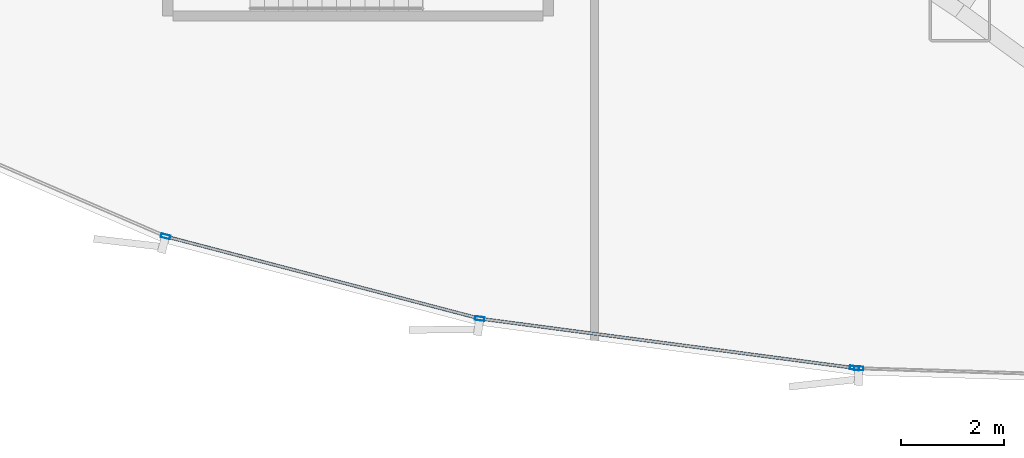
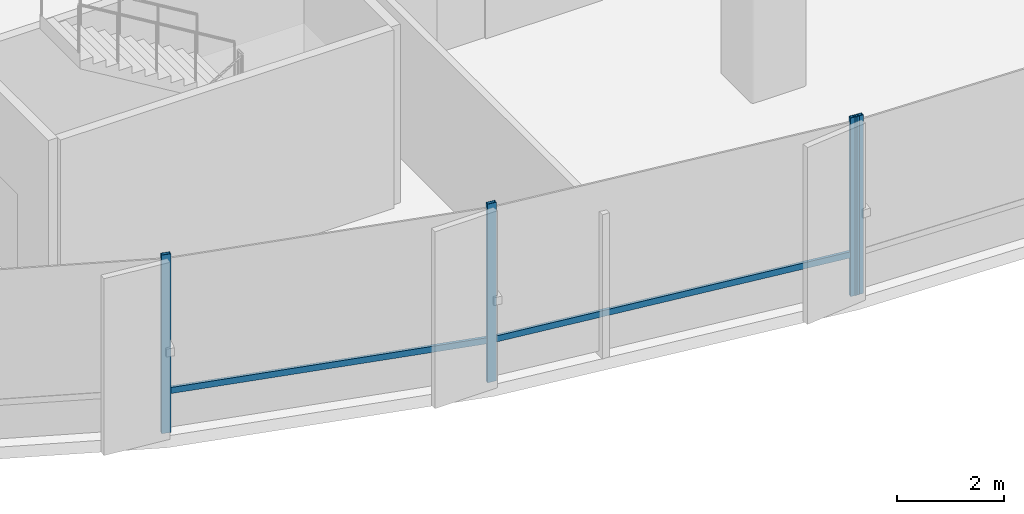
# One storey, part 4 of 34: 6 members, 2 elements without a shape of their own.
"""IFC4 building model written with IfcOpenShell, lengths in metres."""

from ifc_helpers import new_model, si_unit, direction, frame, origin, origin_2d, place, context, subcontext, project, spatial, hollow_rectangle, extrude, source, transform, mapped, material, layer, layer_set, material_profile, profile_set, type_object, element, aggregate, save


model = new_model("IFC4")

# Units and contexts
model_context = context("Model", 3, precision=1e-05, world=origin(), true_north=direction((0.0, 1.0)))
body_context = subcontext(model_context, "Body", "Model", "MODEL_VIEW")
ifc_project = project(units=[si_unit("LENGTHUNIT", "METRE"), si_unit("AREAUNIT", "SQUARE_METRE"), si_unit("VOLUMEUNIT", "CUBIC_METRE"), si_unit("PLANEANGLEUNIT", "RADIAN"), si_unit("MASSUNIT", "GRAM", prefix="KILO"), si_unit("THERMODYNAMICTEMPERATUREUNIT", "KELVIN")], contexts=[model_context])

# Site, building, storey
site_placement = place(None, origin())
site = spatial("IfcSite", under=ifc_project, at=site_placement, CompositionType="ELEMENT")
building_placement = place(site_placement, origin())
building = spatial("IfcBuilding", under=site, at=building_placement, Name="Kethvar Cultural Tower", CompositionType="ELEMENT")
storey_placement = place(building_placement, frame((0.0, 0.0, 19.60009765625)))
storey = spatial("IfcBuildingStorey", under=building, at=storey_placement, Name="L04", CompositionType="ELEMENT", Elevation=19.60009765625)

# Curtain wall, members
ifc_material = material(Name="Aluminium 6063-T6", Category="aluminium")
ifc_layer = layer(ifc_material, 0.179931640625, Name="Aluminium 6063-T6", Category="aluminium")
ifc_layer_set = layer_set([ifc_layer], Name="Aluminium 6063-T6 (180 mm)")
curtain_wall_type = type_object("IfcCurtainWallType", Name="CW-SYS-01-POD", PredefinedType="NOTDEFINED", material=ifc_layer_set)
curtain_wall_1_placement = place(storey_placement, origin())
curtain_wall_1 = element("IfcCurtainWall", 1, at=curtain_wall_1_placement, inside=storey, type_object=curtain_wall_type, Name="L04 Curtain Wall Run 04", PredefinedType="NOTDEFINED")
ifc_material_profile_1 = material_profile(ifc_material, hollow_rectangle(XDim=0.06005859375, YDim=0.139892578125, WallThickness=0.0048828125, at=origin_2d()), Name="Aluminium 6063-T6 — RHS140x60x5")
ifc_profile_set_1 = profile_set([ifc_material_profile_1], Name="Aluminium 6063-T6 — RHS140x60x5")
member_type_1 = type_object("IfcMemberType", Name="CW-SYS-01-POD-TRN", PredefinedType="USERDEFINED", material=ifc_profile_set_1)
shared_shape_1 = source(origin(), body_context, "Body", "SweptSolid", [
    extrude(hollow_rectangle(XDim=0.06005859375, YDim=0.139892578125, WallThickness=0.0048828125, at=origin_2d()), origin(), (0.0, 0.0, 1.0), 7.28955078125),
])
member_1_placement = place(storey_placement, frame((24.0205078125, 1.611328125, 0.949951171875), z_axis=(0.991428284846, -0.130652041726, 0.0), x_axis=(0.130652041726, 0.991428284846, 0.0)))
member_1 = element("IfcMember", 2, at=member_1_placement, type_object=member_type_1, Name="CW-L04-R04 Transom 6", ObjectType="TRANSOM", PredefinedType="USERDEFINED", context=body_context, shape_type="MappedRepresentation", body=[
    mapped(shared_shape_1, transform((0.0, 0.0, 0.0), scale=1.0)),
])
shared_shape_2 = source(origin(), body_context, "Body", "SweptSolid", [
    extrude(hollow_rectangle(XDim=0.06005859375, YDim=0.139892578125, WallThickness=0.0048828125, at=origin_2d()), origin(), (0.0, 0.0, 1.0), 6.221435546875),
])
member_2_placement = place(storey_placement, frame((17.911865234375, 3.203125, 0.949951171875), z_axis=(0.967458727109, -0.253028874519, 0.0), x_axis=(0.253028874519, 0.967458727109, 0.0)))
member_2 = element("IfcMember", 3, at=member_2_placement, type_object=member_type_1, Name="CW-L04-R04 Transom 5", ObjectType="TRANSOM", PredefinedType="USERDEFINED", context=body_context, shape_type="MappedRepresentation", body=[
    mapped(shared_shape_2, transform((0.0, 0.0, 0.0), scale=1.0)),
])
ifc_material_profile_2 = material_profile(ifc_material, hollow_rectangle(XDim=0.074951171875, YDim=0.179931640625, WallThickness=0.006103515625, at=origin_2d()), Name="Aluminium 6063-T6 — RHS180x75x6")
ifc_profile_set_2 = profile_set([ifc_material_profile_2], Name="Aluminium 6063-T6 — RHS180x75x6")
member_type_2 = type_object("IfcMemberType", Name="CW-SYS-01-POD-MUL", PredefinedType="MULLION", material=ifc_profile_set_2)
shared_shape_3 = source(origin(), body_context, "Body", "SweptSolid", [
    extrude(hollow_rectangle(XDim=0.074951171875, YDim=0.179931640625, WallThickness=0.006103515625, at=origin_2d()), origin(), (0.0, 0.0, 1.0), 4.079833984375),
])
member_3_placement = place(storey_placement, frame((17.859619140625, 3.216796875, 0.0), z_axis=(0.0, 0.0, 1.0), x_axis=(0.253031946887, 0.967457923558, 0.0)))
member_3 = element("IfcMember", 4, at=member_3_placement, type_object=member_type_2, Name="CW-L04-R04 Mullion 5", PredefinedType="MULLION", context=body_context, shape_type="MappedRepresentation", body=[
    mapped(shared_shape_3, transform((0.0, 0.0, 0.0), scale=1.0)),
])
member_4_placement = place(storey_placement, frame((23.967041015625, 1.618408203125, 0.0), z_axis=(0.0, 0.0, 1.0), x_axis=(0.130647319086, 0.991428907192, 0.0)))
member_4 = element("IfcMember", 5, at=member_4_placement, type_object=member_type_2, Name="CW-L04-R04 Mullion 6", PredefinedType="MULLION", context=body_context, shape_type="MappedRepresentation", body=[
    mapped(shared_shape_3, transform((0.0, 0.0, 0.0), scale=1.0)),
])
member_5_placement = place(storey_placement, frame((31.252685546875, 0.658447265625, 0.0), z_axis=(0.0, 0.0, 1.0), x_axis=(0.130647319086, 0.991428907192, 0.0)))
member_5 = element("IfcMember", 6, at=member_5_placement, type_object=member_type_2, Name="CW-L04-R04 Mullion 7", PredefinedType="MULLION", context=body_context, shape_type="MappedRepresentation", body=[
    mapped(shared_shape_3, transform((0.0, 0.0, 0.0), scale=1.0)),
])
aggregate(curtain_wall_1, [member_3, member_4, member_5, member_2, member_1])

# Curtain wall, member
curtain_wall_2_placement = place(storey_placement, origin())
curtain_wall_2 = element("IfcCurtainWall", 7, at=curtain_wall_2_placement, inside=storey, type_object=curtain_wall_type, Name="L04 Curtain Wall Run 05", PredefinedType="NOTDEFINED")
member_6_placement = place(storey_placement, frame((31.336669921875, 0.651611328125, 0.0), z_axis=(0.0, 0.0, 1.0), x_axis=(0.030137272261, 0.999545769248, 0.0)))
member_6 = element("IfcMember", 8, at=member_6_placement, type_object=member_type_2, Name="CW-L04-R05 Mullion 1", PredefinedType="MULLION", context=body_context, shape_type="MappedRepresentation", body=[
    mapped(shared_shape_3, transform((0.0, 0.0, 0.0), scale=1.0)),
])
aggregate(curtain_wall_2, [member_6])

save(model, "model.ifc")
